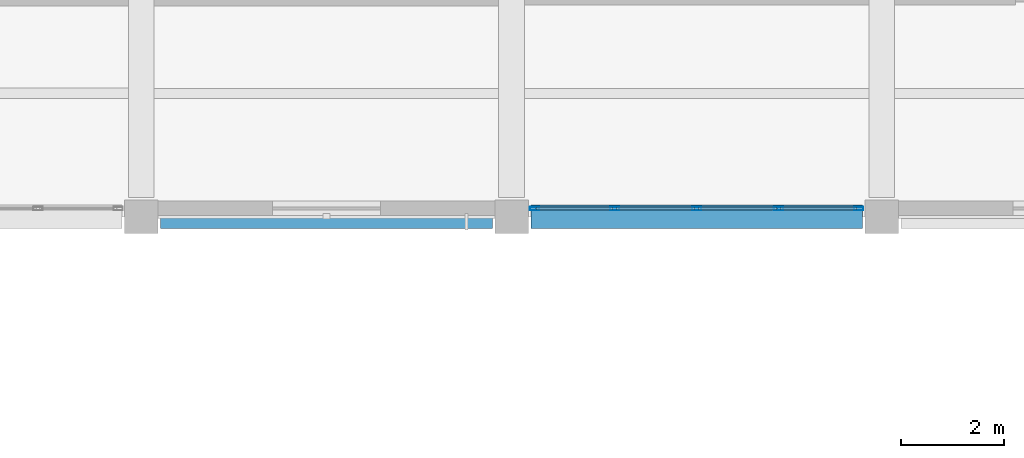
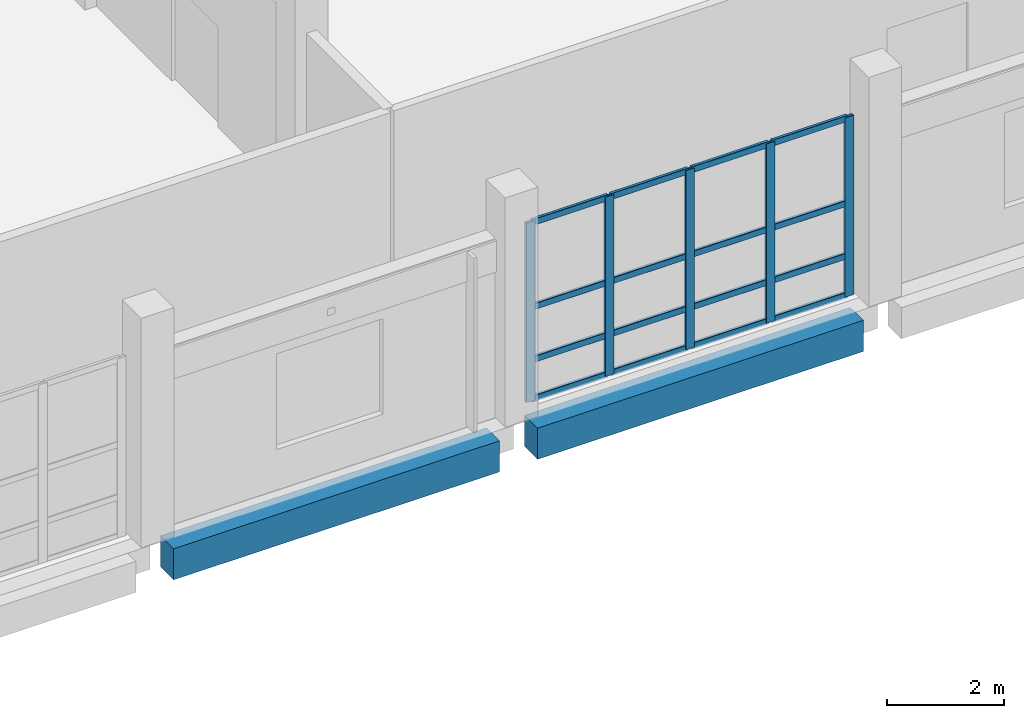
# One storey, part 49 of 127: 21 members, 2 beams, 1 element without a shape of its own.
"""IFC4 building model written with IfcOpenShell, lengths in metres."""

from ifc_helpers import new_model, si_unit, direction, frame, origin, origin_2d, place, context, subcontext, project, spatial, rectangle, hollow_rectangle, extrude, material, material_profile, profile_set, type_object, element, aggregate, save


model = new_model("IFC4")

# Units and contexts
model_context = context("Model", 3, precision=1e-05, world=origin(), true_north=direction((0.0, 1.0)))
body_context = subcontext(model_context, "Body", "Model", "MODEL_VIEW")
ifc_project = project(units=[si_unit("LENGTHUNIT", "METRE"), si_unit("AREAUNIT", "SQUARE_METRE"), si_unit("VOLUMEUNIT", "CUBIC_METRE"), si_unit("PLANEANGLEUNIT", "RADIAN"), si_unit("MASSUNIT", "GRAM", prefix="KILO")], contexts=[model_context])

# Site, building, storey
site_placement = place(None, origin())
site = spatial("IfcSite", under=ifc_project, at=site_placement, CompositionType="ELEMENT")
building_placement = place(site_placement, origin())
building = spatial("IfcBuilding", under=site, at=building_placement, Name="Kalmorath City Hall", CompositionType="ELEMENT")
storey_placement = place(building_placement, frame((0.0, 0.0, 5.39990234375)))
storey = spatial("IfcBuildingStorey", under=building, at=storey_placement, Name="L01", CompositionType="ELEMENT", Elevation=5.39990234375)

# Beams
ifc_material_1 = material(Name="Concrete C40/50", Category="concrete")
ifc_material_profile_1 = material_profile(ifc_material_1, rectangle(XDim=0.449951171875, YDim=0.64990234375, at=origin_2d()), Name="RC-BM-450X650")
ifc_profile_set_1 = profile_set([ifc_material_profile_1], Name="Concrete C40/50")
beam_type = type_object("IfcBeamType", Name="Concrete spandrel beam 450x650", PredefinedType="SPANDREL", material=ifc_profile_set_1)
for number, where, z_axis, x_axis, name in (
    (1, (36.375, 93.60009765625, -0.64892578125), (1.0, 0.0, 0.0), (0.0, 1.0, 0.0), "L01 girder CB5 X6-7/14"),
    (2, (43.574951171875, 93.60009765625, -0.64892578125), (1.0, 0.0, 0.0), (0.0, 1.0, 0.0), "L01 girder CB5 X7-8/14"),
):
    element("IfcBeam", number, at=place(storey_placement, frame(where, z_axis=z_axis, x_axis=x_axis)), inside=storey, type_object=beam_type, Name=name, PredefinedType="SPANDREL", context=body_context, shape_type="SweptSolid", body=[
        extrude(rectangle(XDim=0.449951171875, YDim=0.64990234375, at=origin_2d()), origin(), (0.0, 0.0, 1.0), 6.449951171875),
    ])

# Curtain wall, members
ifc_material_2 = material(Name="Anodised aluminium and laminated glass", Category="aluminium")
curtain_wall_type = type_object("IfcCurtainWallType", Name="Unitised hurricane curtain wall 6370x3751 M1750", PredefinedType="NOTDEFINED", material=ifc_material_2)
curtain_wall_placement = place(storey_placement, origin())
curtain_wall = element("IfcCurtainWall", 3, at=curtain_wall_placement, inside=storey, type_object=curtain_wall_type, Name="L01 curtain wall CW-64X38M18 #106", PredefinedType="NOTDEFINED")
ifc_material_3 = material(Name="Anodised aluminium framing", Category="aluminium")
ifc_material_profile_2 = material_profile(ifc_material_3, hollow_rectangle(XDim=0.06494140625, YDim=0.179931640625, WallThickness=0.00390625, InnerFilletRadius=0.00390625, OuterFilletRadius=0.008056640625, at=origin_2d()), Name="ALU-MUL-180X65X4")
ifc_profile_set_2 = profile_set([ifc_material_profile_2], Name="Anodised aluminium framing")
member_type_1 = type_object("IfcMemberType", Name="Curtain-wall courtyard mullion 180x65", PredefinedType="MULLION", material=ifc_profile_set_2)
member_1_placement = place(storey_placement, frame((49.952392578125, 93.760009765625, 0.0), z_axis=(0.0, 0.0, 1.0), x_axis=(0.0, -1.0, 0.0)))
member_1 = element("IfcMember", 4, at=member_1_placement, type_object=member_type_1, Name="CW-64X38M18 mullion 1", PredefinedType="MULLION", context=body_context, shape_type="SweptSolid", body=[
    extrude(hollow_rectangle(XDim=0.06494140625, YDim=0.179931640625, WallThickness=0.00390625, InnerFilletRadius=0.00390625, OuterFilletRadius=0.008056640625, at=origin_2d()), origin(), (0.0, 0.0, 1.0), 3.7509765625),
])
member_2_placement = place(storey_placement, frame((48.392578125, 93.760009765625, 0.0), z_axis=(0.0, 0.0, 1.0), x_axis=(0.0, -1.0, 0.0)))
member_2 = element("IfcMember", 5, at=member_2_placement, type_object=member_type_1, Name="CW-64X38M18 mullion 2", PredefinedType="MULLION", context=body_context, shape_type="SweptSolid", body=[
    extrude(hollow_rectangle(XDim=0.06494140625, YDim=0.179931640625, WallThickness=0.00390625, InnerFilletRadius=0.00390625, OuterFilletRadius=0.008056640625, at=origin_2d()), origin(), (0.0, 0.0, 1.0), 3.7509765625),
])
member_3_placement = place(storey_placement, frame((46.800048828125, 93.760009765625, 0.0), z_axis=(0.0, 0.0, 1.0), x_axis=(0.0, -1.0, 0.0)))
member_3 = element("IfcMember", 6, at=member_3_placement, type_object=member_type_1, Name="CW-64X38M18 mullion 3", PredefinedType="MULLION", context=body_context, shape_type="SweptSolid", body=[
    extrude(hollow_rectangle(XDim=0.06494140625, YDim=0.179931640625, WallThickness=0.00390625, InnerFilletRadius=0.00390625, OuterFilletRadius=0.008056640625, at=origin_2d()), origin(), (0.0, 0.0, 1.0), 3.7509765625),
])
member_4_placement = place(storey_placement, frame((45.20751953125, 93.760009765625, 0.0), z_axis=(0.0, 0.0, 1.0), x_axis=(0.0, -1.0, 0.0)))
member_4 = element("IfcMember", 7, at=member_4_placement, type_object=member_type_1, Name="CW-64X38M18 mullion 4", PredefinedType="MULLION", context=body_context, shape_type="SweptSolid", body=[
    extrude(hollow_rectangle(XDim=0.06494140625, YDim=0.179931640625, WallThickness=0.00390625, InnerFilletRadius=0.00390625, OuterFilletRadius=0.008056640625, at=origin_2d()), origin(), (0.0, 0.0, 1.0), 3.7509765625),
])
member_5_placement = place(storey_placement, frame((43.6474609375, 93.760009765625, 0.0), z_axis=(0.0, 0.0, 1.0), x_axis=(0.0, -1.0, 0.0)))
member_5 = element("IfcMember", 8, at=member_5_placement, type_object=member_type_1, Name="CW-64X38M18 mullion 5", PredefinedType="MULLION", context=body_context, shape_type="SweptSolid", body=[
    extrude(hollow_rectangle(XDim=0.06494140625, YDim=0.179931640625, WallThickness=0.00390625, InnerFilletRadius=0.00390625, OuterFilletRadius=0.008056640625, at=origin_2d()), origin(), (0.0, 0.0, 1.0), 3.7509765625),
])
ifc_material_4 = material(Name="Anodised aluminium framing", Category="aluminium")
ifc_material_profile_3 = material_profile(ifc_material_4, hollow_rectangle(XDim=0.06005859375, YDim=0.1298828125, WallThickness=0.00341796875, InnerFilletRadius=0.00341796875, OuterFilletRadius=0.007080078125, at=origin_2d()), Name="ALU-TRN-130X60X3.5")
ifc_profile_set_3 = profile_set([ifc_material_profile_3], Name="Anodised aluminium framing")
member_type_2 = type_object("IfcMemberType", Name="Curtain-wall courtyard transom 130x60", PredefinedType="USERDEFINED", material=ifc_profile_set_3)
member_6_placement = place(storey_placement, frame((49.919921875, 93.760009765625, 0.030029296875), z_axis=(-1.0, 0.0, 0.0), x_axis=(0.0, -1.0, 0.0)))
member_6 = element("IfcMember", 9, at=member_6_placement, type_object=member_type_2, Name="CW-64X38M18 transom 1.1", ObjectType="TRANSOM", PredefinedType="USERDEFINED", context=body_context, shape_type="SweptSolid", body=[
    extrude(hollow_rectangle(XDim=0.06005859375, YDim=0.1298828125, WallThickness=0.00341796875, InnerFilletRadius=0.00341796875, OuterFilletRadius=0.007080078125, at=origin_2d()), origin(), (0.0, 0.0, 1.0), 1.494873046875),
])
member_7_placement = place(storey_placement, frame((49.919921875, 93.760009765625, 0.85009765625), z_axis=(-1.0, 0.0, 0.0), x_axis=(0.0, -1.0, 0.0)))
member_7 = element("IfcMember", 10, at=member_7_placement, type_object=member_type_2, Name="CW-64X38M18 transom 1.2", ObjectType="TRANSOM", PredefinedType="USERDEFINED", context=body_context, shape_type="SweptSolid", body=[
    extrude(hollow_rectangle(XDim=0.06005859375, YDim=0.1298828125, WallThickness=0.00341796875, InnerFilletRadius=0.00341796875, OuterFilletRadius=0.007080078125, at=origin_2d()), origin(), (0.0, 0.0, 1.0), 1.494873046875),
])
member_8_placement = place(storey_placement, frame((49.919921875, 93.760009765625, 1.951171875), z_axis=(-1.0, 0.0, 0.0), x_axis=(0.0, -1.0, 0.0)))
member_8 = element("IfcMember", 11, at=member_8_placement, type_object=member_type_2, Name="CW-64X38M18 transom 1.3", ObjectType="TRANSOM", PredefinedType="USERDEFINED", context=body_context, shape_type="SweptSolid", body=[
    extrude(hollow_rectangle(XDim=0.06005859375, YDim=0.1298828125, WallThickness=0.00341796875, InnerFilletRadius=0.00341796875, OuterFilletRadius=0.007080078125, at=origin_2d()), origin(), (0.0, 0.0, 1.0), 1.494873046875),
])
member_9_placement = place(storey_placement, frame((49.919921875, 93.760009765625, 3.72119140625), z_axis=(-1.0, 0.0, 0.0), x_axis=(0.0, -1.0, 0.0)))
member_9 = element("IfcMember", 12, at=member_9_placement, type_object=member_type_2, Name="CW-64X38M18 transom 1.4", ObjectType="TRANSOM", PredefinedType="USERDEFINED", context=body_context, shape_type="SweptSolid", body=[
    extrude(hollow_rectangle(XDim=0.06005859375, YDim=0.1298828125, WallThickness=0.00341796875, InnerFilletRadius=0.00341796875, OuterFilletRadius=0.007080078125, at=origin_2d()), origin(), (0.0, 0.0, 1.0), 1.494873046875),
])
member_10_placement = place(storey_placement, frame((48.360107421875, 93.760009765625, 0.030029296875), z_axis=(-1.0, 0.0, 0.0), x_axis=(0.0, -1.0, 0.0)))
member_10 = element("IfcMember", 13, at=member_10_placement, type_object=member_type_2, Name="CW-64X38M18 transom 2.1", ObjectType="TRANSOM", PredefinedType="USERDEFINED", context=body_context, shape_type="SweptSolid", body=[
    extrude(hollow_rectangle(XDim=0.06005859375, YDim=0.1298828125, WallThickness=0.00341796875, InnerFilletRadius=0.00341796875, OuterFilletRadius=0.007080078125, at=origin_2d()), origin(), (0.0, 0.0, 1.0), 1.527587890625),
])
member_11_placement = place(storey_placement, frame((48.360107421875, 93.760009765625, 0.85009765625), z_axis=(-1.0, 0.0, 0.0), x_axis=(0.0, -1.0, 0.0)))
member_11 = element("IfcMember", 14, at=member_11_placement, type_object=member_type_2, Name="CW-64X38M18 transom 2.2", ObjectType="TRANSOM", PredefinedType="USERDEFINED", context=body_context, shape_type="SweptSolid", body=[
    extrude(hollow_rectangle(XDim=0.06005859375, YDim=0.1298828125, WallThickness=0.00341796875, InnerFilletRadius=0.00341796875, OuterFilletRadius=0.007080078125, at=origin_2d()), origin(), (0.0, 0.0, 1.0), 1.527587890625),
])
member_12_placement = place(storey_placement, frame((48.360107421875, 93.760009765625, 1.951171875), z_axis=(-1.0, 0.0, 0.0), x_axis=(0.0, -1.0, 0.0)))
member_12 = element("IfcMember", 15, at=member_12_placement, type_object=member_type_2, Name="CW-64X38M18 transom 2.3", ObjectType="TRANSOM", PredefinedType="USERDEFINED", context=body_context, shape_type="SweptSolid", body=[
    extrude(hollow_rectangle(XDim=0.06005859375, YDim=0.1298828125, WallThickness=0.00341796875, InnerFilletRadius=0.00341796875, OuterFilletRadius=0.007080078125, at=origin_2d()), origin(), (0.0, 0.0, 1.0), 1.527587890625),
])
member_13_placement = place(storey_placement, frame((48.360107421875, 93.760009765625, 3.72119140625), z_axis=(-1.0, 0.0, 0.0), x_axis=(0.0, -1.0, 0.0)))
member_13 = element("IfcMember", 16, at=member_13_placement, type_object=member_type_2, Name="CW-64X38M18 transom 2.4", ObjectType="TRANSOM", PredefinedType="USERDEFINED", context=body_context, shape_type="SweptSolid", body=[
    extrude(hollow_rectangle(XDim=0.06005859375, YDim=0.1298828125, WallThickness=0.00341796875, InnerFilletRadius=0.00341796875, OuterFilletRadius=0.007080078125, at=origin_2d()), origin(), (0.0, 0.0, 1.0), 1.527587890625),
])
member_14_placement = place(storey_placement, frame((46.767578125, 93.760009765625, 0.030029296875), z_axis=(-1.0, 0.0, 0.0), x_axis=(0.0, -1.0, 0.0)))
member_14 = element("IfcMember", 17, at=member_14_placement, type_object=member_type_2, Name="CW-64X38M18 transom 3.1", ObjectType="TRANSOM", PredefinedType="USERDEFINED", context=body_context, shape_type="SweptSolid", body=[
    extrude(hollow_rectangle(XDim=0.06005859375, YDim=0.1298828125, WallThickness=0.00341796875, InnerFilletRadius=0.00341796875, OuterFilletRadius=0.007080078125, at=origin_2d()), origin(), (0.0, 0.0, 1.0), 1.527587890625),
])
member_15_placement = place(storey_placement, frame((46.767578125, 93.760009765625, 0.85009765625), z_axis=(-1.0, 0.0, 0.0), x_axis=(0.0, -1.0, 0.0)))
member_15 = element("IfcMember", 18, at=member_15_placement, type_object=member_type_2, Name="CW-64X38M18 transom 3.2", ObjectType="TRANSOM", PredefinedType="USERDEFINED", context=body_context, shape_type="SweptSolid", body=[
    extrude(hollow_rectangle(XDim=0.06005859375, YDim=0.1298828125, WallThickness=0.00341796875, InnerFilletRadius=0.00341796875, OuterFilletRadius=0.007080078125, at=origin_2d()), origin(), (0.0, 0.0, 1.0), 1.527587890625),
])
member_16_placement = place(storey_placement, frame((46.767578125, 93.760009765625, 1.951171875), z_axis=(-1.0, 0.0, 0.0), x_axis=(0.0, -1.0, 0.0)))
member_16 = element("IfcMember", 19, at=member_16_placement, type_object=member_type_2, Name="CW-64X38M18 transom 3.3", ObjectType="TRANSOM", PredefinedType="USERDEFINED", context=body_context, shape_type="SweptSolid", body=[
    extrude(hollow_rectangle(XDim=0.06005859375, YDim=0.1298828125, WallThickness=0.00341796875, InnerFilletRadius=0.00341796875, OuterFilletRadius=0.007080078125, at=origin_2d()), origin(), (0.0, 0.0, 1.0), 1.527587890625),
])
member_17_placement = place(storey_placement, frame((46.767578125, 93.760009765625, 3.72119140625), z_axis=(-1.0, 0.0, 0.0), x_axis=(0.0, -1.0, 0.0)))
member_17 = element("IfcMember", 20, at=member_17_placement, type_object=member_type_2, Name="CW-64X38M18 transom 3.4", ObjectType="TRANSOM", PredefinedType="USERDEFINED", context=body_context, shape_type="SweptSolid", body=[
    extrude(hollow_rectangle(XDim=0.06005859375, YDim=0.1298828125, WallThickness=0.00341796875, InnerFilletRadius=0.00341796875, OuterFilletRadius=0.007080078125, at=origin_2d()), origin(), (0.0, 0.0, 1.0), 1.527587890625),
])
member_18_placement = place(storey_placement, frame((45.175048828125, 93.760009765625, 0.030029296875), z_axis=(-1.0, 0.0, 0.0), x_axis=(0.0, -1.0, 0.0)))
member_18 = element("IfcMember", 21, at=member_18_placement, type_object=member_type_2, Name="CW-64X38M18 transom 4.1", ObjectType="TRANSOM", PredefinedType="USERDEFINED", context=body_context, shape_type="SweptSolid", body=[
    extrude(hollow_rectangle(XDim=0.06005859375, YDim=0.1298828125, WallThickness=0.00341796875, InnerFilletRadius=0.00341796875, OuterFilletRadius=0.007080078125, at=origin_2d()), origin(), (0.0, 0.0, 1.0), 1.4951171875),
])
member_19_placement = place(storey_placement, frame((45.175048828125, 93.760009765625, 0.85009765625), z_axis=(-1.0, 0.0, 0.0), x_axis=(0.0, -1.0, 0.0)))
member_19 = element("IfcMember", 22, at=member_19_placement, type_object=member_type_2, Name="CW-64X38M18 transom 4.2", ObjectType="TRANSOM", PredefinedType="USERDEFINED", context=body_context, shape_type="SweptSolid", body=[
    extrude(hollow_rectangle(XDim=0.06005859375, YDim=0.1298828125, WallThickness=0.00341796875, InnerFilletRadius=0.00341796875, OuterFilletRadius=0.007080078125, at=origin_2d()), origin(), (0.0, 0.0, 1.0), 1.4951171875),
])
member_20_placement = place(storey_placement, frame((45.175048828125, 93.760009765625, 1.951171875), z_axis=(-1.0, 0.0, 0.0), x_axis=(0.0, -1.0, 0.0)))
member_20 = element("IfcMember", 23, at=member_20_placement, type_object=member_type_2, Name="CW-64X38M18 transom 4.3", ObjectType="TRANSOM", PredefinedType="USERDEFINED", context=body_context, shape_type="SweptSolid", body=[
    extrude(hollow_rectangle(XDim=0.06005859375, YDim=0.1298828125, WallThickness=0.00341796875, InnerFilletRadius=0.00341796875, OuterFilletRadius=0.007080078125, at=origin_2d()), origin(), (0.0, 0.0, 1.0), 1.4951171875),
])
member_21_placement = place(storey_placement, frame((45.175048828125, 93.760009765625, 3.72119140625), z_axis=(-1.0, 0.0, 0.0), x_axis=(0.0, -1.0, 0.0)))
member_21 = element("IfcMember", 24, at=member_21_placement, type_object=member_type_2, Name="CW-64X38M18 transom 4.4", ObjectType="TRANSOM", PredefinedType="USERDEFINED", context=body_context, shape_type="SweptSolid", body=[
    extrude(hollow_rectangle(XDim=0.06005859375, YDim=0.1298828125, WallThickness=0.00341796875, InnerFilletRadius=0.00341796875, OuterFilletRadius=0.007080078125, at=origin_2d()), origin(), (0.0, 0.0, 1.0), 1.4951171875),
])
aggregate(curtain_wall, [member_1, member_2, member_3, member_4, member_5, member_6, member_7, member_8, member_9, member_10, member_11, member_12, member_13, member_14, member_15, member_16, member_17, member_18, member_19, member_20, member_21])

save(model, "model.ifc")
